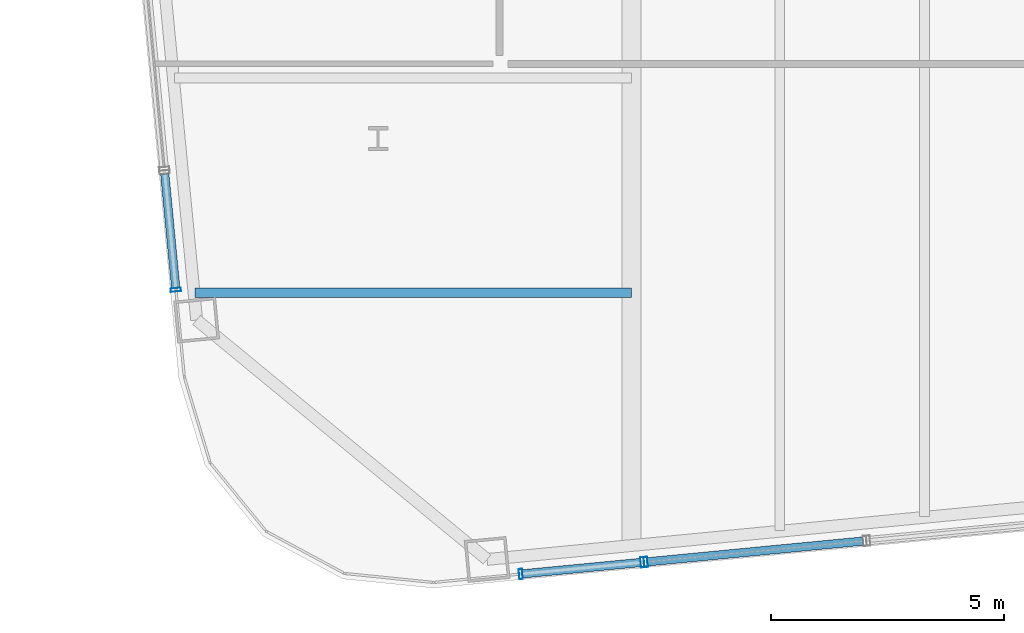
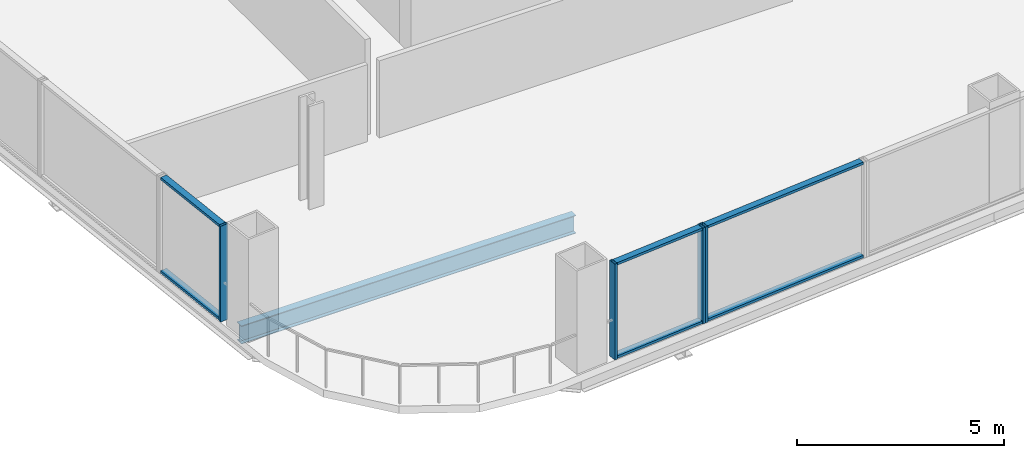
# One storey, part 2 of 27: 10 members, 1 beam, 3 elements without a shape of their own.
"""IFC4 building model written with IfcOpenShell, lengths in metres."""

from ifc_helpers import new_model, si_unit, direction, frame, origin, origin_2d, place, context, subcontext, project, spatial, hollow_rectangle, i_section, extrude, material, layer, layer_set, material_profile, profile_set, type_object, element, aggregate, save


model = new_model("IFC4")

# Units and contexts
model_context = context("Model", 3, precision=1e-05, world=origin(), true_north=direction((0.0, 1.0)))
body_context = subcontext(model_context, "Body", "Model", "MODEL_VIEW")
ifc_project = project(units=[si_unit("LENGTHUNIT", "METRE"), si_unit("AREAUNIT", "SQUARE_METRE"), si_unit("VOLUMEUNIT", "CUBIC_METRE"), si_unit("PLANEANGLEUNIT", "RADIAN"), si_unit("MASSUNIT", "GRAM", prefix="KILO")], contexts=[model_context])

# Site, building, storey
site_placement = place(None, origin())
site = spatial("IfcSite", under=ifc_project, at=site_placement, CompositionType="ELEMENT")
building_placement = place(site_placement, origin())
building = spatial("IfcBuilding", under=site, at=building_placement, Name="Qhalaya Broadcast Tower", CompositionType="ELEMENT")
storey_placement = place(building_placement, frame((0.0, 0.0, 75.550048828125)))
storey = spatial("IfcBuildingStorey", under=building, at=storey_placement, Name="L21", CompositionType="ELEMENT", Elevation=75.550048828125)

# Beam
ifc_material_1 = material(Name="Structural Steel ASTM A992 Grade 50", Category="steel")
ifc_material_profile_1 = material_profile(ifc_material_1, i_section(OverallWidth=0.2099609375, OverallDepth=0.535888671875, WebThickness=0.010986328125, FlangeThickness=0.017333984375, at=origin_2d()), Name="W21X68")
ifc_profile_set_1 = profile_set([ifc_material_profile_1], Name="Structural Steel ASTM A992 Grade 50")
beam_type = type_object("IfcBeamType", Name="Composite Floor Joist J02", PredefinedType="JOIST", material=ifc_profile_set_1)
beam_placement = place(storey_placement, frame((-18.7216796875, -16.5, -0.488037109375), z_axis=(1.0, 0.0, 0.0), x_axis=(0.0, 1.0, 0.0)))
element("IfcBeam", 1, at=beam_placement, inside=storey, type_object=beam_type, Name="L21 J02 L21-JWE1W-1", PredefinedType="JOIST", context=body_context, shape_type="SweptSolid", body=[
    extrude(i_section(OverallWidth=0.2099609375, OverallDepth=0.535888671875, WebThickness=0.010986328125, FlangeThickness=0.017333984375, at=origin_2d()), origin(), (0.0, 0.0, 1.0), 9.3466796875),
])

# Curtain wall, members
ifc_material_2 = material(Name="Fired Architectural Terracotta", Category="masonry")
ifc_layer_1 = layer(ifc_material_2, 0.219970703125, Name="Fired Architectural Terracotta")
ifc_layer_set_1 = layer_set([ifc_layer_1], Name="Fired Architectural Terracotta")
curtain_wall_type_1 = type_object("IfcCurtainWallType", Name="Block-Cap Unitised Terracotta Spandrel Wall CW-07", PredefinedType="NOTDEFINED", material=ifc_layer_set_1)
curtain_wall_1_placement = place(storey_placement, origin())
curtain_wall_1 = element("IfcCurtainWall", 2, at=curtain_wall_1_placement, inside=storey, type_object=curtain_wall_type_1, Name="L21 Unitised Curtain Wall L21-CW-S1", PredefinedType="NOTDEFINED")
ifc_material_3 = material(Name="Anodised Aluminium 6063-T6", Category="aluminium")
ifc_material_profile_2 = material_profile(ifc_material_3, hollow_rectangle(XDim=0.074951171875, YDim=0.219970703125, WallThickness=0.00390625, at=origin_2d()), Name="ALU-MUL 75x220x4")
ifc_profile_set_2 = profile_set([ifc_material_profile_2], Name="Anodised Aluminium 6063-T6")
member_type_1 = type_object("IfcMemberType", Name="Unitised Curtain-Wall Mullion M01", PredefinedType="MULLION", material=ifc_profile_set_2)
member_1_placement = place(storey_placement, frame((-11.74462890625, -22.52490234375, 0.0), z_axis=(0.0, 0.0, 1.0), x_axis=(0.995397033761, 0.095837076227, 0.0)))
member_1 = element("IfcMember", 3, at=member_1_placement, type_object=member_type_1, Name="CW-07 mullion 1", PredefinedType="MULLION", context=body_context, shape_type="SweptSolid", body=[
    extrude(hollow_rectangle(XDim=0.074951171875, YDim=0.219970703125, WallThickness=0.00390625, at=origin_2d()), origin(), (0.0, 0.0, 1.0), 2.829833984375),
])
member_2_placement = place(storey_placement, frame((-9.141845703125, -22.2744140625, 0.0), z_axis=(0.0, 0.0, 1.0), x_axis=(0.995397033761, 0.095837076227, 0.0)))
member_2 = element("IfcMember", 4, at=member_2_placement, type_object=member_type_1, Name="CW-07 mullion 2", PredefinedType="MULLION", context=body_context, shape_type="SweptSolid", body=[
    extrude(hollow_rectangle(XDim=0.074951171875, YDim=0.219970703125, WallThickness=0.00390625, at=origin_2d()), origin(), (0.0, 0.0, 1.0), 2.829833984375),
])

# Curtain wall, member
ifc_material_4 = material(Name="Solar-Control Low-E Triple Glazing", Category="glass")
ifc_layer_2 = layer(ifc_material_4, 0.219970703125, Name="Solar-Control Low-E Triple Glazing")
ifc_layer_set_2 = layer_set([ifc_layer_2], Name="Solar-Control Low-E Triple Glazing")
curtain_wall_type_2 = type_object("IfcCurtainWallType", Name="Even-Block 4-Storey Double-Module Curtain Wall CW-03", PredefinedType="NOTDEFINED", material=ifc_layer_set_2)
curtain_wall_2_placement = place(storey_placement, origin())
curtain_wall_2 = element("IfcCurtainWall", 5, at=curtain_wall_2_placement, inside=storey, type_object=curtain_wall_type_2, Name="L21 Unitised Curtain Wall L21-CW-S2", PredefinedType="NOTDEFINED")
member_3_placement = place(storey_placement, frame((-9.067138671875, -22.26708984375, 0.0), z_axis=(0.0, 0.0, 1.0), x_axis=(0.995394623965, 0.095862101904, 0.0)))
member_3 = element("IfcMember", 6, at=member_3_placement, type_object=member_type_1, Name="CW-03 mullion 1", PredefinedType="MULLION", context=body_context, shape_type="SweptSolid", body=[
    extrude(hollow_rectangle(XDim=0.074951171875, YDim=0.219970703125, WallThickness=0.00390625, at=origin_2d()), origin(), (0.0, 0.0, 1.0), 2.829833984375),
])

curtain_wall_3_placement = place(storey_placement, origin())
curtain_wall_3 = element("IfcCurtainWall", 7, at=curtain_wall_3_placement, inside=storey, type_object=curtain_wall_type_1, Name="L21 Unitised Curtain Wall L21-CW-W7", PredefinedType="NOTDEFINED")
member_4_placement = place(storey_placement, frame((-19.129638671875, -16.437255859375, 0.0), z_axis=(0.0, 0.0, 1.0), x_axis=(0.095849237045, -0.995395862839, 0.0)))
member_4 = element("IfcMember", 8, at=member_4_placement, type_object=member_type_1, Name="CW-07 mullion 2", PredefinedType="MULLION", context=body_context, shape_type="SweptSolid", body=[
    extrude(hollow_rectangle(XDim=0.074951171875, YDim=0.219970703125, WallThickness=0.00390625, at=origin_2d()), origin(), (0.0, 0.0, 1.0), 2.829833984375),
])

# Member
ifc_material_profile_3 = material_profile(ifc_material_3, hollow_rectangle(XDim=0.074951171875, YDim=0.179931640625, WallThickness=0.00390625, at=origin_2d()), Name="ALU-TRN 75x180x4")
ifc_profile_set_3 = profile_set([ifc_material_profile_3], Name="Anodised Aluminium 6063-T6")
member_type_2 = type_object("IfcMemberType", Name="Unitised Curtain-Wall Transom T01", PredefinedType="USERDEFINED", material=ifc_profile_set_3)
member_5_placement = place(storey_placement, frame((-11.707275390625, -22.521484375, 0.037353515625), z_axis=(0.995397751495, 0.095829621306, 0.0), x_axis=(0.0, 0.0, 1.0)))
member_5 = element("IfcMember", 9, at=member_5_placement, type_object=member_type_2, Name="CW-07 transom 1.1", ObjectType="TRANSOM", PredefinedType="USERDEFINED", context=body_context, shape_type="SweptSolid", body=[
    extrude(hollow_rectangle(XDim=0.074951171875, YDim=0.179931640625, WallThickness=0.00390625, at=origin_2d()), origin(), (0.0, 0.0, 1.0), 2.5400390625),
])

member_6_placement = place(storey_placement, frame((-11.707275390625, -22.521484375, 2.79248046875), z_axis=(0.995397751495, 0.095829621306, 0.0), x_axis=(0.0, 0.0, 1.0)))
member_6 = element("IfcMember", 10, at=member_6_placement, type_object=member_type_2, Name="CW-07 transom 1.2", ObjectType="TRANSOM", PredefinedType="USERDEFINED", context=body_context, shape_type="SweptSolid", body=[
    extrude(hollow_rectangle(XDim=0.074951171875, YDim=0.179931640625, WallThickness=0.00390625, at=origin_2d()), origin(), (0.0, 0.0, 1.0), 2.5400390625),
])

aggregate(curtain_wall_1, [member_1, member_2, member_5, member_6])

member_7_placement = place(storey_placement, frame((-9.02978515625, -22.263671875, 0.037353515625), z_axis=(0.995391452368, 0.09589502882, 0.0), x_axis=(0.0, 0.0, 1.0)))
member_7 = element("IfcMember", 11, at=member_7_placement, type_object=member_type_2, Name="CW-03 transom 1.1", ObjectType="TRANSOM", PredefinedType="USERDEFINED", context=body_context, shape_type="SweptSolid", body=[
    extrude(hollow_rectangle(XDim=0.074951171875, YDim=0.179931640625, WallThickness=0.00390625, at=origin_2d()), origin(), (0.0, 0.0, 1.0), 4.63623046875),
])

member_8_placement = place(storey_placement, frame((-9.02978515625, -22.263671875, 2.79248046875), z_axis=(0.995391452368, 0.09589502882, 0.0), x_axis=(0.0, 0.0, 1.0)))
member_8 = element("IfcMember", 12, at=member_8_placement, type_object=member_type_2, Name="CW-03 transom 1.2", ObjectType="TRANSOM", PredefinedType="USERDEFINED", context=body_context, shape_type="SweptSolid", body=[
    extrude(hollow_rectangle(XDim=0.074951171875, YDim=0.179931640625, WallThickness=0.00390625, at=origin_2d()), origin(), (0.0, 0.0, 1.0), 4.63623046875),
])

aggregate(curtain_wall_2, [member_3, member_7, member_8])

member_9_placement = place(storey_placement, frame((-19.368408203125, -13.957275390625, 0.037353515625), z_axis=(0.095809089258, -0.995399727956, 0.0), x_axis=(0.0, 0.0, 1.0)))
member_9 = element("IfcMember", 13, at=member_9_placement, type_object=member_type_2, Name="CW-07 transom 1.1", ObjectType="TRANSOM", PredefinedType="USERDEFINED", context=body_context, shape_type="SweptSolid", body=[
    extrude(hollow_rectangle(XDim=0.074951171875, YDim=0.179931640625, WallThickness=0.00390625, at=origin_2d()), origin(), (0.0, 0.0, 1.0), 2.453857421875),
])

member_10_placement = place(storey_placement, frame((-19.368408203125, -13.957275390625, 2.79248046875), z_axis=(0.095809089258, -0.995399727956, 0.0), x_axis=(0.0, 0.0, 1.0)))
member_10 = element("IfcMember", 14, at=member_10_placement, type_object=member_type_2, Name="CW-07 transom 1.2", ObjectType="TRANSOM", PredefinedType="USERDEFINED", context=body_context, shape_type="SweptSolid", body=[
    extrude(hollow_rectangle(XDim=0.074951171875, YDim=0.179931640625, WallThickness=0.00390625, at=origin_2d()), origin(), (0.0, 0.0, 1.0), 2.453857421875),
])

aggregate(curtain_wall_3, [member_4, member_9, member_10])

save(model, "model.ifc")
